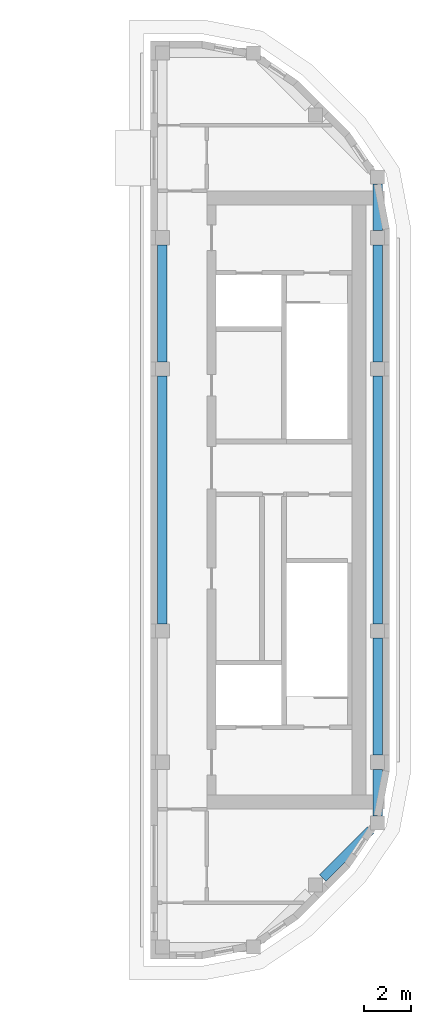
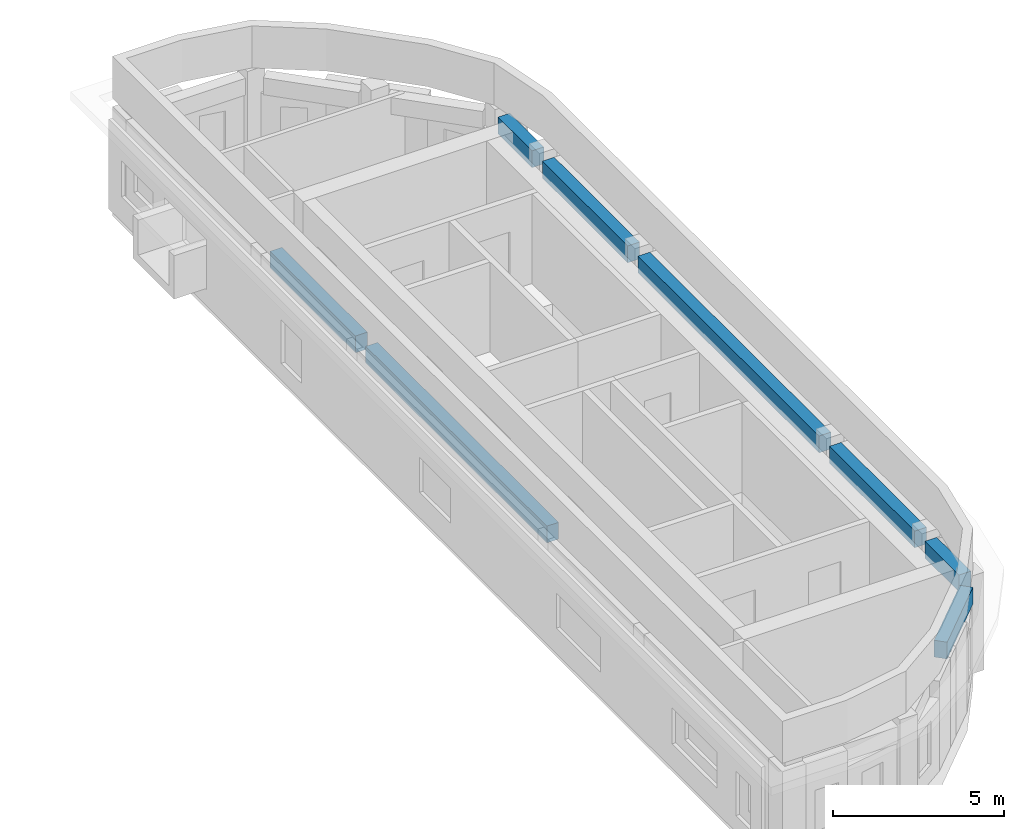
# One storey, part 5 of 16: 8 beams.
"""IFC4 building model written with IfcOpenShell, lengths in metres."""

from ifc_helpers import new_model, si_unit, direction, frame, origin, origin_2d, place, context, subcontext, project, spatial, rectangle, extrude, material, material_profile, profile_set, type_object, element, save


model = new_model("IFC4")

# Units and contexts
model_context = context("Model", 3, precision=1e-05, world=origin(), true_north=direction((0.0, 1.0)))
body_context = subcontext(model_context, "Body", "Model", "MODEL_VIEW")
ifc_project = project(units=[si_unit("LENGTHUNIT", "METRE"), si_unit("AREAUNIT", "SQUARE_METRE"), si_unit("VOLUMEUNIT", "CUBIC_METRE"), si_unit("PLANEANGLEUNIT", "RADIAN"), si_unit("MASSUNIT", "GRAM", prefix="KILO")], contexts=[model_context])

# Site, building, storey
site_placement = place(None, origin())
site = spatial("IfcSite", under=ifc_project, at=site_placement, CompositionType="ELEMENT")
building_placement = place(site_placement, origin())
building = spatial("IfcBuilding", under=site, at=building_placement, Name="Kiln Ring Residences", CompositionType="ELEMENT")
storey_placement = place(building_placement, frame((0.0, 0.0, 313.89990234375)))
storey = spatial("IfcBuildingStorey", under=building, at=storey_placement, Name="L81 Crown", CompositionType="ELEMENT", Elevation=313.89990234375)

# Beams
ifc_material = material(Name="Concrete C50/60", Category="concrete")
ifc_material_profile = material_profile(ifc_material, rectangle(XDim=0.39990234375, YDim=0.60009765625, at=origin_2d()), Name="RC400x600")
ifc_profile_set = profile_set([ifc_material_profile], Name="Concrete C50/60")
beam_type = type_object("IfcBeamType", Name="Spandrel beam RC400x600 C50/60", PredefinedType="SPANDREL", material=ifc_profile_set)
beam_1_placement = place(storey_placement, frame((22.346435546875, -16.146484375, 2.900146484375), z_axis=(0.707064747792, 0.707148812083, 0.0), x_axis=(-0.707148812083, 0.707064747792, 0.0)))
element("IfcBeam", 1, at=beam_1_placement, inside=storey, type_object=beam_type, Name="Spandrel beam L81 Crown 21", PredefinedType="SPANDREL", context=body_context, shape_type="SweptSolid", body=[
    extrude(rectangle(XDim=0.39990234375, YDim=0.60009765625, at=origin_2d()), origin(), (0.0, 0.0, 1.0), 2.904296875),
])
beam_2_placement = place(storey_placement, frame((24.699951171875, -13.492919921875, 2.900146484375), z_axis=(0.0, 1.0, 0.0), x_axis=(-1.0, 0.0, 0.0)))
element("IfcBeam", 2, at=beam_2_placement, inside=storey, type_object=beam_type, Name="Spandrel beam L81 Crown 22", PredefinedType="SPANDREL", context=body_context, shape_type="SweptSolid", body=[
    extrude(rectangle(XDim=0.39990234375, YDim=0.60009765625, at=origin_2d()), origin(), (0.0, 0.0, 1.0), 1.992919921875),
])
beam_3_placement = place(storey_placement, frame((24.699951171875, -10.89990234375, 2.900146484375), z_axis=(0.0, 1.0, 0.0), x_axis=(-1.0, 0.0, 0.0)))
element("IfcBeam", 3, at=beam_3_placement, inside=storey, type_object=beam_type, Name="Spandrel beam L81 Crown 23", PredefinedType="SPANDREL", context=body_context, shape_type="SweptSolid", body=[
    extrude(rectangle(XDim=0.39990234375, YDim=0.60009765625, at=origin_2d()), origin(), (0.0, 0.0, 1.0), 5.0),
])
beam_4_placement = place(storey_placement, frame((24.699951171875, -5.300048828125, 2.900146484375), z_axis=(0.0, 1.0, 0.0), x_axis=(-1.0, 0.0, 0.0)))
element("IfcBeam", 4, at=beam_4_placement, inside=storey, type_object=beam_type, Name="Spandrel beam L81 Crown 24", PredefinedType="SPANDREL", context=body_context, shape_type="SweptSolid", body=[
    extrude(rectangle(XDim=0.39990234375, YDim=0.60009765625, at=origin_2d()), origin(), (0.0, 0.0, 1.0), 10.60009765625),
])
beam_5_placement = place(storey_placement, frame((24.699951171875, 5.89990234375, 2.900146484375), z_axis=(0.0, 1.0, 0.0), x_axis=(-1.0, 0.0, 0.0)))
element("IfcBeam", 5, at=beam_5_placement, inside=storey, type_object=beam_type, Name="Spandrel beam L81 Crown 25", PredefinedType="SPANDREL", context=body_context, shape_type="SweptSolid", body=[
    extrude(rectangle(XDim=0.39990234375, YDim=0.60009765625, at=origin_2d()), origin(), (0.0, 0.0, 1.0), 5.0),
])
beam_6_placement = place(storey_placement, frame((24.699951171875, 11.5, 2.900146484375), z_axis=(0.0, 1.0, 0.0), x_axis=(-1.0, 0.0, 0.0)))
element("IfcBeam", 6, at=beam_6_placement, inside=storey, type_object=beam_type, Name="Spandrel beam L81 Crown 26", PredefinedType="SPANDREL", context=body_context, shape_type="SweptSolid", body=[
    extrude(rectangle(XDim=0.39990234375, YDim=0.60009765625, at=origin_2d()), origin(), (0.0, 0.0, 1.0), 1.992919921875),
])
beam_7_placement = place(storey_placement, frame((15.5, 10.89990234375, 2.900146484375), z_axis=(0.0, -1.0, 0.0), x_axis=(1.0, 0.0, 0.0)))
element("IfcBeam", 7, at=beam_7_placement, inside=storey, type_object=beam_type, Name="Spandrel beam L81 Crown 31", PredefinedType="SPANDREL", context=body_context, shape_type="SweptSolid", body=[
    extrude(rectangle(XDim=0.39990234375, YDim=0.60009765625, at=origin_2d()), origin(), (0.0, 0.0, 1.0), 5.0),
])
beam_8_placement = place(storey_placement, frame((15.5, 5.300048828125, 2.900146484375), z_axis=(0.0, -1.0, 0.0), x_axis=(1.0, 0.0, 0.0)))
element("IfcBeam", 8, at=beam_8_placement, inside=storey, type_object=beam_type, Name="Spandrel beam L81 Crown 32", PredefinedType="SPANDREL", context=body_context, shape_type="SweptSolid", body=[
    extrude(rectangle(XDim=0.39990234375, YDim=0.60009765625, at=origin_2d()), origin(), (0.0, 0.0, 1.0), 10.60009765625),
])

save(model, "model.ifc")
